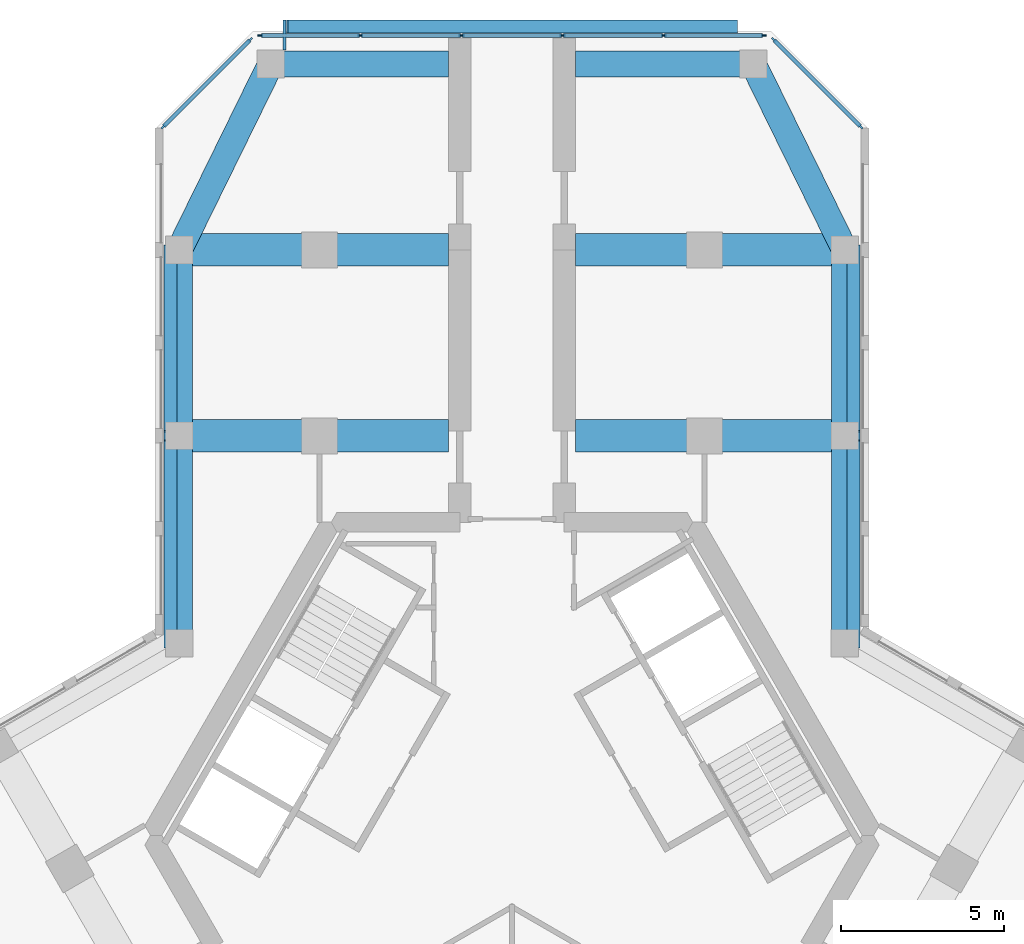
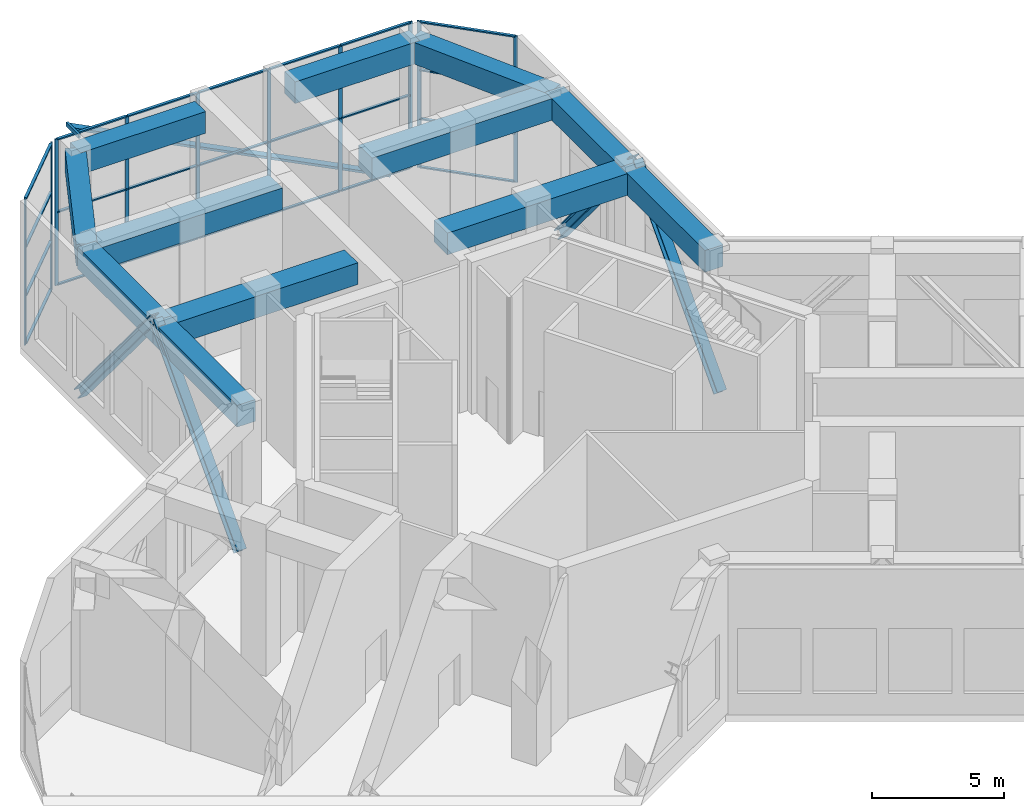
# One storey, part 6 of 12: 39 members, 12 beams, 3 elements without a shape of their own.
"""IFC4 building model written with IfcOpenShell, lengths in metres."""

from ifc_helpers import new_model, si_unit, direction, frame, origin, origin_2d, place, context, subcontext, project, spatial, rectangle, hollow_rectangle, i_section, extrude, material, material_profile, profile_set, type_object, element, aggregate, save


model = new_model("IFC4")

# Units and contexts
model_context = context("Model", 3, precision=1e-05, world=origin(), true_north=direction((0.0, 1.0)))
body_context = subcontext(model_context, "Body", "Model", "MODEL_VIEW")
ifc_project = project(units=[si_unit("LENGTHUNIT", "METRE"), si_unit("AREAUNIT", "SQUARE_METRE"), si_unit("VOLUMEUNIT", "CUBIC_METRE"), si_unit("PLANEANGLEUNIT", "RADIAN"), si_unit("MASSUNIT", "GRAM", prefix="KILO")], contexts=[model_context])

# Site, building, storey
site_placement = place(None, origin())
site = spatial("IfcSite", under=ifc_project, at=site_placement, CompositionType="ELEMENT")
building_placement = place(site_placement, origin())
building = spatial("IfcBuilding", under=site, at=building_placement, Name="Kosmar Iwan School Tower", CompositionType="ELEMENT")
storey_placement = place(building_placement, frame((0.0, 0.0, 260.39990234375)))
storey = spatial("IfcBuildingStorey", under=building, at=storey_placement, Name="L66", CompositionType="ELEMENT", Elevation=260.39990234375)

# Members
ifc_material_1 = material(Name="Steel S355", Category="steel")
ifc_material_profile_1 = material_profile(ifc_material_1, i_section(OverallWidth=0.404052734375, OverallDepth=0.406982421875, WebThickness=0.027099609375, FlangeThickness=0.043701171875, FilletRadius=0.014892578125, at=origin_2d()), Name="HD 400x347")
ifc_profile_set_1 = profile_set([ifc_material_profile_1], Name="Steel S355")
member_type_1 = type_object("IfcMemberType", Name="Belt truss diagonal HD 400x347", PredefinedType="BRACE", material=ifc_profile_set_1)
member_1_placement = place(storey_placement, frame((-10.468017578125, 5.888916015625, 0.0), z_axis=(0.0, 0.680649470375, 0.732609239962), x_axis=(-1.0, 0.0, 0.0)))
element("IfcMember", 1, at=member_1_placement, inside=storey, type_object=member_type_1, Name="Belt truss diagonal AL1", PredefinedType="BRACE", context=body_context, shape_type="SweptSolid", body=[
    extrude(i_section(OverallWidth=0.404052734375, OverallDepth=0.406982421875, WebThickness=0.027099609375, FlangeThickness=0.043701171875, FilletRadius=0.014892578125, at=origin_2d()), origin(), (0.0, 0.0, 1.0), 9.345703125),
])
member_2_placement = place(storey_placement, frame((-10.468017578125, 12.25, 6.8466796875), z_axis=(0.0, 0.639812342523, -0.768531174615), x_axis=(-1.0, 0.0, 0.0)))
element("IfcMember", 2, at=member_2_placement, inside=storey, type_object=member_type_1, Name="Belt truss diagonal AL2", PredefinedType="BRACE", context=body_context, shape_type="SweptSolid", body=[
    extrude(i_section(OverallWidth=0.404052734375, OverallDepth=0.406982421875, WebThickness=0.027099609375, FlangeThickness=0.043701171875, FilletRadius=0.014892578125, at=origin_2d()), origin(), (0.0, 0.0, 1.0), 8.90869140625),
])
member_3_placement = place(storey_placement, frame((10.468017578125, 5.888916015625, 0.0), z_axis=(0.0, 0.680649470375, 0.732609239962), x_axis=(-1.0, 0.0, 0.0)))
element("IfcMember", 3, at=member_3_placement, inside=storey, type_object=member_type_1, Name="Belt truss diagonal AR1", PredefinedType="BRACE", context=body_context, shape_type="SweptSolid", body=[
    extrude(i_section(OverallWidth=0.404052734375, OverallDepth=0.406982421875, WebThickness=0.027099609375, FlangeThickness=0.043701171875, FilletRadius=0.014892578125, at=origin_2d()), origin(), (0.0, 0.0, 1.0), 9.345703125),
])
member_4_placement = place(storey_placement, frame((10.468017578125, 12.25, 6.8466796875), z_axis=(0.0, 0.639812342523, -0.768531174615), x_axis=(-1.0, 0.0, 0.0)))
element("IfcMember", 4, at=member_4_placement, inside=storey, type_object=member_type_1, Name="Belt truss diagonal AR2", PredefinedType="BRACE", context=body_context, shape_type="SweptSolid", body=[
    extrude(i_section(OverallWidth=0.404052734375, OverallDepth=0.406982421875, WebThickness=0.027099609375, FlangeThickness=0.043701171875, FilletRadius=0.014892578125, at=origin_2d()), origin(), (0.0, 0.0, 1.0), 8.90869140625),
])

# Beams
ifc_material_2 = material(Name="Concrete C50/60", Category="concrete")
ifc_material_profile_2 = material_profile(ifc_material_2, rectangle(XDim=0.800048828125, YDim=1.0, at=origin_2d()), Name="RC 800x1000 + HD 400x634")
ifc_profile_set_2 = profile_set([ifc_material_profile_2], Name="Concrete C50/60")
beam_type_1 = type_object("IfcBeamType", Name="Composite edge beam 800x1000 HD 400x634", PredefinedType="BEAM", material=ifc_profile_set_2)
beam_1_placement = place(storey_placement, frame((-10.199951171875, 5.888916015625, 6.25), z_axis=(0.0, 1.0, 0.0), x_axis=(-1.0, 0.0, 0.0)))
element("IfcBeam", 5, at=beam_1_placement, inside=storey, type_object=beam_type_1, Name="Edge beam AL1", PredefinedType="BEAM", context=body_context, shape_type="SweptSolid", body=[
    extrude(rectangle(XDim=0.800048828125, YDim=1.0, at=origin_2d()), origin(), (0.0, 0.0, 1.0), 6.361083984375),
])
beam_2_placement = place(storey_placement, frame((-10.199951171875, 12.25, 6.25), z_axis=(0.0, 1.0, 0.0), x_axis=(-1.0, 0.0, 0.0)))
element("IfcBeam", 6, at=beam_2_placement, inside=storey, type_object=beam_type_1, Name="Edge beam AL2", PredefinedType="BEAM", context=body_context, shape_type="SweptSolid", body=[
    extrude(rectangle(XDim=0.800048828125, YDim=1.0, at=origin_2d()), origin(), (0.0, 0.0, 1.0), 5.699951171875),
])
beam_3_placement = place(storey_placement, frame((10.199951171875, 5.888916015625, 6.25), z_axis=(0.0, 1.0, 0.0), x_axis=(-1.0, 0.0, 0.0)))
element("IfcBeam", 7, at=beam_3_placement, inside=storey, type_object=beam_type_1, Name="Edge beam AR1", PredefinedType="BEAM", context=body_context, shape_type="SweptSolid", body=[
    extrude(rectangle(XDim=0.800048828125, YDim=1.0, at=origin_2d()), origin(), (0.0, 0.0, 1.0), 6.361083984375),
])
beam_4_placement = place(storey_placement, frame((10.199951171875, 12.25, 6.25), z_axis=(0.0, 1.0, 0.0), x_axis=(-1.0, 0.0, 0.0)))
element("IfcBeam", 8, at=beam_4_placement, inside=storey, type_object=beam_type_1, Name="Edge beam AR2", PredefinedType="BEAM", context=body_context, shape_type="SweptSolid", body=[
    extrude(rectangle(XDim=0.800048828125, YDim=1.0, at=origin_2d()), origin(), (0.0, 0.0, 1.0), 5.699951171875),
])
ifc_material_3 = material(Name="Concrete C50/60", Category="concrete")
ifc_material_profile_3 = material_profile(ifc_material_3, rectangle(XDim=1.0, YDim=1.0, at=origin_2d()), Name="RC 1000x1000 + HD 400x347")
ifc_profile_set_3 = profile_set([ifc_material_profile_3], Name="Concrete C50/60")
beam_type_2 = type_object("IfcBeamType", Name="Composite transverse beam 1000x1000 HD 400x347", PredefinedType="BEAM", material=ifc_profile_set_3)
for number, where, z_axis, x_axis, name in (
    (9, (-10.199951171875, 12.25, 6.25), (1.0, 0.0, 0.0), (0.0, 1.0, 0.0), "Transverse beam AL1"),
    (10, (-10.199951171875, 17.949951171875, 6.25), (1.0, 0.0, 0.0), (0.0, 1.0, 0.0), "Transverse beam AL2"),
    (11, (10.199951171875, 12.25, 6.25), (-1.0, 0.0, 0.0), (0.0, -1.0, 0.0), "Transverse beam AR1"),
    (12, (10.199951171875, 17.949951171875, 6.25), (-1.0, 0.0, 0.0), (0.0, -1.0, 0.0), "Transverse beam AR2"),
):
    element("IfcBeam", number, at=place(storey_placement, frame(where, z_axis=z_axis, x_axis=x_axis)), inside=storey, type_object=beam_type_2, Name=name, PredefinedType="BEAM", context=body_context, shape_type="SweptSolid", body=[
        extrude(rectangle(XDim=1.0, YDim=1.0, at=origin_2d()), origin(), (0.0, 0.0, 1.0), 8.25),
    ])

# Members
ifc_material_4 = material(Name="Black anodised aluminium", Category="aluminium")
ifc_material_profile_4 = material_profile(ifc_material_4, rectangle(XDim=0.10009765625, YDim=0.39990234375, at=origin_2d()), Name="FIN 100x400")
ifc_profile_set_4 = profile_set([ifc_material_profile_4], Name="Black anodised aluminium")
member_type_2 = type_object("IfcMemberType", Name="Diagonal fin 100x400", PredefinedType="USERDEFINED", material=ifc_profile_set_4)
member_5_placement = place(storey_placement, frame((6.898193359375, 24.800048828125, -0.14990234375), z_axis=(-0.891779441227, 0.0, 0.452470361686), x_axis=(0.452470361686, 0.0, 0.891779441227)))
element("IfcMember", 13, at=member_5_placement, inside=storey, type_object=member_type_2, Name="Diagonal fin L66-F06", ObjectType="FIN", PredefinedType="USERDEFINED", context=body_context, shape_type="SweptSolid", body=[
    extrude(rectangle(XDim=0.10009765625, YDim=0.39990234375, at=origin_2d()), origin(), (0.0, 0.0, 1.0), 15.470703125),
])
ifc_material_5 = material(Name="Steel S355", Category="steel")
ifc_material_profile_5 = material_profile(ifc_material_5, hollow_rectangle(XDim=0.10009765625, YDim=0.199951171875, WallThickness=0.008056640625, at=origin_2d()), Name="RHS 200x100x8")
ifc_profile_set_5 = profile_set([ifc_material_profile_5], Name="Steel S355")
member_type_3 = type_object("IfcMemberType", Name="Fin bracket RHS 200x100", PredefinedType="USERDEFINED", material=ifc_profile_set_5)
member_6_placement = place(storey_placement, frame((-6.97509765625, 24.074951171875, 6.875), z_axis=(0.0, 1.0, 0.0), x_axis=(-1.0, 0.0, 0.0)))
element("IfcMember", 14, at=member_6_placement, inside=storey, type_object=member_type_3, Name="Fin bracket L67", ObjectType="FIN BRACKET", PredefinedType="USERDEFINED", context=body_context, shape_type="SweptSolid", body=[
    extrude(hollow_rectangle(XDim=0.10009765625, YDim=0.199951171875, WallThickness=0.008056640625, at=origin_2d()), origin(), (0.0, 0.0, 1.0), 0.925048828125),
])

# Curtain wall, members
ifc_material_6 = material(Name="Dark glass in black aluminium frame", Category="aluminium")
curtain_wall_type_1 = type_object("IfcCurtainWallType", Name="Chamfer curtain wall dark glass", PredefinedType="USERDEFINED", material=ifc_material_6)
curtain_wall_1_placement = place(storey_placement, origin())
curtain_wall_1 = element("IfcCurtainWall", 15, at=curtain_wall_1_placement, inside=storey, type_object=curtain_wall_type_1, Name="Curtain wall L66-F05", ObjectType="FACETED CURTAIN WALL", PredefinedType="USERDEFINED")
ifc_material_7 = material(Name="Black anodised aluminium", Category="aluminium")
ifc_material_profile_6 = material_profile(ifc_material_7, rectangle(XDim=0.06005859375, YDim=0.159912109375, at=origin_2d()), Name="MULLION 60x160")
ifc_profile_set_6 = profile_set([ifc_material_profile_6], Name="Black anodised aluminium")
member_type_4 = type_object("IfcMemberType", Name="Mullion 60x160", PredefinedType="MULLION", material=ifc_profile_set_6)
member_7_placement = place(storey_placement, frame((10.69775390625, 21.7255859375, 0.0), z_axis=(0.0, 0.0, 1.0), x_axis=(-0.707106781187, -0.707106781187, 0.0)))
member_7 = element("IfcMember", 16, at=member_7_placement, type_object=member_type_4, Name="CW2 mullion 1", PredefinedType="MULLION", context=body_context, shape_type="SweptSolid", body=[
    extrude(rectangle(XDim=0.06005859375, YDim=0.159912109375, at=origin_2d()), origin(), (0.0, 0.0, 1.0), 6.75),
])
member_8_placement = place(storey_placement, frame((8.025390625, 24.397705078125, 0.0), z_axis=(0.0, 0.0, 1.0), x_axis=(-0.707106781187, -0.707106781187, 0.0)))
member_8 = element("IfcMember", 17, at=member_8_placement, type_object=member_type_4, Name="CW2 mullion 2", PredefinedType="MULLION", context=body_context, shape_type="SweptSolid", body=[
    extrude(rectangle(XDim=0.06005859375, YDim=0.159912109375, at=origin_2d()), origin(), (0.0, 0.0, 1.0), 6.75),
])

ifc_material_8 = material(Name="Black aluminium louvres and glass", Category="aluminium")
curtain_wall_type_2 = type_object("IfcCurtainWallType", Name="Plant floor louvred curtain wall", PredefinedType="USERDEFINED", material=ifc_material_8)
curtain_wall_2_placement = place(storey_placement, origin())
curtain_wall_2 = element("IfcCurtainWall", 18, at=curtain_wall_2_placement, inside=storey, type_object=curtain_wall_type_2, Name="Curtain wall L66-F06", ObjectType="LOUVRED CURTAIN WALL", PredefinedType="USERDEFINED")
member_9_placement = place(storey_placement, frame((7.71826171875, 24.52490234375, 0.0), z_axis=(0.0, 0.0, 1.0), x_axis=(0.0, -1.0, 0.0)))
member_9 = element("IfcMember", 19, at=member_9_placement, type_object=member_type_4, Name="CW4 mullion 1", PredefinedType="MULLION", context=body_context, shape_type="SweptSolid", body=[
    extrude(rectangle(XDim=0.06005859375, YDim=0.159912109375, at=origin_2d()), origin(), (0.0, 0.0, 1.0), 6.75),
])
member_10_placement = place(storey_placement, frame((4.64892578125, 24.52490234375, 0.0), z_axis=(0.0, 0.0, 1.0), x_axis=(0.0, -1.0, 0.0)))
member_10 = element("IfcMember", 20, at=member_10_placement, type_object=member_type_4, Name="CW4 mullion 2", PredefinedType="MULLION", context=body_context, shape_type="SweptSolid", body=[
    extrude(rectangle(XDim=0.06005859375, YDim=0.159912109375, at=origin_2d()), origin(), (0.0, 0.0, 1.0), 6.75),
])
member_11_placement = place(storey_placement, frame((1.549560546875, 24.52490234375, 0.0), z_axis=(0.0, 0.0, 1.0), x_axis=(0.0, -1.0, 0.0)))
member_11 = element("IfcMember", 21, at=member_11_placement, type_object=member_type_4, Name="CW4 mullion 3", PredefinedType="MULLION", context=body_context, shape_type="SweptSolid", body=[
    extrude(rectangle(XDim=0.06005859375, YDim=0.159912109375, at=origin_2d()), origin(), (0.0, 0.0, 1.0), 6.75),
])
member_12_placement = place(storey_placement, frame((-1.549560546875, 24.52490234375, 0.0), z_axis=(0.0, 0.0, 1.0), x_axis=(0.0, -1.0, 0.0)))
member_12 = element("IfcMember", 22, at=member_12_placement, type_object=member_type_4, Name="CW4 mullion 4", PredefinedType="MULLION", context=body_context, shape_type="SweptSolid", body=[
    extrude(rectangle(XDim=0.06005859375, YDim=0.159912109375, at=origin_2d()), origin(), (0.0, 0.0, 1.0), 6.75),
])
member_13_placement = place(storey_placement, frame((-4.64892578125, 24.52490234375, 0.0), z_axis=(0.0, 0.0, 1.0), x_axis=(0.0, -1.0, 0.0)))
member_13 = element("IfcMember", 23, at=member_13_placement, type_object=member_type_4, Name="CW4 mullion 5", PredefinedType="MULLION", context=body_context, shape_type="SweptSolid", body=[
    extrude(rectangle(XDim=0.06005859375, YDim=0.159912109375, at=origin_2d()), origin(), (0.0, 0.0, 1.0), 6.75),
])
member_14_placement = place(storey_placement, frame((-7.71826171875, 24.52490234375, 0.0), z_axis=(0.0, 0.0, 1.0), x_axis=(0.0, -1.0, 0.0)))
member_14 = element("IfcMember", 24, at=member_14_placement, type_object=member_type_4, Name="CW4 mullion 6", PredefinedType="MULLION", context=body_context, shape_type="SweptSolid", body=[
    extrude(rectangle(XDim=0.06005859375, YDim=0.159912109375, at=origin_2d()), origin(), (0.0, 0.0, 1.0), 6.75),
])

curtain_wall_3_placement = place(storey_placement, origin())
curtain_wall_3 = element("IfcCurtainWall", 25, at=curtain_wall_3_placement, inside=storey, type_object=curtain_wall_type_1, Name="Curtain wall L66-F07", ObjectType="FACETED CURTAIN WALL", PredefinedType="USERDEFINED")
member_15_placement = place(storey_placement, frame((-8.025390625, 24.397705078125, 0.0), z_axis=(0.0, 0.0, 1.0), x_axis=(0.707106781187, -0.707106781187, 0.0)))
member_15 = element("IfcMember", 26, at=member_15_placement, type_object=member_type_4, Name="CW2 mullion 1", PredefinedType="MULLION", context=body_context, shape_type="SweptSolid", body=[
    extrude(rectangle(XDim=0.06005859375, YDim=0.159912109375, at=origin_2d()), origin(), (0.0, 0.0, 1.0), 6.75),
])
member_16_placement = place(storey_placement, frame((-10.69775390625, 21.7255859375, 0.0), z_axis=(0.0, 0.0, 1.0), x_axis=(0.707106781187, -0.707106781187, 0.0)))
member_16 = element("IfcMember", 27, at=member_16_placement, type_object=member_type_4, Name="CW2 mullion 2", PredefinedType="MULLION", context=body_context, shape_type="SweptSolid", body=[
    extrude(rectangle(XDim=0.06005859375, YDim=0.159912109375, at=origin_2d()), origin(), (0.0, 0.0, 1.0), 6.75),
])

# Beams
ifc_material_9 = material(Name="Concrete C50/60", Category="concrete")
ifc_material_profile_7 = material_profile(ifc_material_9, rectangle(XDim=0.800048828125, YDim=1.0, at=origin_2d()), Name="RC 800x1000")
ifc_profile_set_7 = profile_set([ifc_material_profile_7], Name="Concrete C50/60")
beam_type_3 = type_object("IfcBeamType", Name="RC tip beam 800x1000", PredefinedType="BEAM", material=ifc_profile_set_7)
beam_5_placement = place(storey_placement, frame((-10.199951171875, 17.949951171875, 6.25), z_axis=(0.440913116462, 0.897549788999, 0.0), x_axis=(-0.897549788999, 0.440913116462, 0.0)))
element("IfcBeam", 28, at=beam_5_placement, inside=storey, type_object=beam_type_3, Name="Tip beam AL", PredefinedType="BEAM", context=body_context, shape_type="SweptSolid", body=[
    extrude(rectangle(XDim=0.800048828125, YDim=1.0, at=origin_2d()), origin(), (0.0, 0.0, 1.0), 6.3505859375),
])
beam_6_placement = place(storey_placement, frame((-7.39990234375, 23.64990234375, 6.25), z_axis=(1.0, 0.0, 0.0), x_axis=(0.0, 1.0, 0.0)))
element("IfcBeam", 29, at=beam_6_placement, inside=storey, type_object=beam_type_3, Name="Tip beam AL to corridor wall", PredefinedType="BEAM", context=body_context, shape_type="SweptSolid", body=[
    extrude(rectangle(XDim=0.800048828125, YDim=1.0, at=origin_2d()), origin(), (0.0, 0.0, 1.0), 5.449951171875),
])
beam_7_placement = place(storey_placement, frame((10.199951171875, 17.949951171875, 6.25), z_axis=(-0.440913116462, 0.897549788999, 0.0), x_axis=(-0.897549788999, -0.440913116462, 0.0)))
element("IfcBeam", 30, at=beam_7_placement, inside=storey, type_object=beam_type_3, Name="Tip beam AR", PredefinedType="BEAM", context=body_context, shape_type="SweptSolid", body=[
    extrude(rectangle(XDim=0.800048828125, YDim=1.0, at=origin_2d()), origin(), (0.0, 0.0, 1.0), 6.3505859375),
])
beam_8_placement = place(storey_placement, frame((7.39990234375, 23.64990234375, 6.25), z_axis=(-1.0, 0.0, 0.0), x_axis=(0.0, -1.0, 0.0)))
element("IfcBeam", 31, at=beam_8_placement, inside=storey, type_object=beam_type_3, Name="Tip beam AR to corridor wall", PredefinedType="BEAM", context=body_context, shape_type="SweptSolid", body=[
    extrude(rectangle(XDim=0.800048828125, YDim=1.0, at=origin_2d()), origin(), (0.0, 0.0, 1.0), 5.449951171875),
])

# Member
ifc_material_10 = material(Name="Black anodised aluminium", Category="aluminium")
ifc_material_profile_8 = material_profile(ifc_material_10, rectangle(XDim=0.1201171875, YDim=0.06005859375, at=origin_2d()), Name="TRANSOM 60x120")
ifc_profile_set_8 = profile_set([ifc_material_profile_8], Name="Black anodised aluminium")
member_type_5 = type_object("IfcMemberType", Name="Transom 60x120", PredefinedType="USERDEFINED", material=ifc_profile_set_8)
member_17_placement = place(storey_placement, frame((10.676513671875, 21.746826171875, 0.030029296875), z_axis=(-0.707139603466, 0.707073957383, 0.0), x_axis=(-0.707073957383, -0.707139603466, 0.0)))
member_17 = element("IfcMember", 32, at=member_17_placement, type_object=member_type_5, Name="CW2 transom 1.1", ObjectType="TRANSOM", PredefinedType="USERDEFINED", context=body_context, shape_type="SweptSolid", body=[
    extrude(rectangle(XDim=0.1201171875, YDim=0.06005859375, at=origin_2d()), origin(), (0.0, 0.0, 1.0), 3.718994140625),
])

member_18_placement = place(storey_placement, frame((10.676513671875, 21.746826171875, 2.25), z_axis=(-0.707139603466, 0.707073957383, 0.0), x_axis=(-0.707073957383, -0.707139603466, 0.0)))
member_18 = element("IfcMember", 33, at=member_18_placement, type_object=member_type_5, Name="CW2 transom 1.2", ObjectType="TRANSOM", PredefinedType="USERDEFINED", context=body_context, shape_type="SweptSolid", body=[
    extrude(rectangle(XDim=0.1201171875, YDim=0.06005859375, at=origin_2d()), origin(), (0.0, 0.0, 1.0), 3.718994140625),
])

member_19_placement = place(storey_placement, frame((10.676513671875, 21.746826171875, 4.5), z_axis=(-0.707139603466, 0.707073957383, 0.0), x_axis=(-0.707073957383, -0.707139603466, 0.0)))
member_19 = element("IfcMember", 34, at=member_19_placement, type_object=member_type_5, Name="CW2 transom 1.3", ObjectType="TRANSOM", PredefinedType="USERDEFINED", context=body_context, shape_type="SweptSolid", body=[
    extrude(rectangle(XDim=0.1201171875, YDim=0.06005859375, at=origin_2d()), origin(), (0.0, 0.0, 1.0), 3.718994140625),
])

member_20_placement = place(storey_placement, frame((10.676513671875, 21.746826171875, 6.72021484375), z_axis=(-0.707139603466, 0.707073957383, 0.0), x_axis=(-0.707073957383, -0.707139603466, 0.0)))
member_20 = element("IfcMember", 35, at=member_20_placement, type_object=member_type_5, Name="CW2 transom 1.4", ObjectType="TRANSOM", PredefinedType="USERDEFINED", context=body_context, shape_type="SweptSolid", body=[
    extrude(rectangle(XDim=0.1201171875, YDim=0.06005859375, at=origin_2d()), origin(), (0.0, 0.0, 1.0), 3.718994140625),
])

aggregate(curtain_wall_1, [member_7, member_8, member_17, member_18, member_19, member_20])

member_21_placement = place(storey_placement, frame((7.688232421875, 24.52490234375, 0.030029296875), z_axis=(-1.0, 0.0, 0.0), x_axis=(0.0, -1.0, 0.0)))
member_21 = element("IfcMember", 36, at=member_21_placement, type_object=member_type_5, Name="CW4 transom 1.1", ObjectType="TRANSOM", PredefinedType="USERDEFINED", context=body_context, shape_type="SweptSolid", body=[
    extrude(rectangle(XDim=0.1201171875, YDim=0.06005859375, at=origin_2d()), origin(), (0.0, 0.0, 1.0), 3.00927734375),
])

member_22_placement = place(storey_placement, frame((7.688232421875, 24.52490234375, 3.375), z_axis=(-1.0, 0.0, 0.0), x_axis=(0.0, -1.0, 0.0)))
member_22 = element("IfcMember", 37, at=member_22_placement, type_object=member_type_5, Name="CW4 transom 1.2", ObjectType="TRANSOM", PredefinedType="USERDEFINED", context=body_context, shape_type="SweptSolid", body=[
    extrude(rectangle(XDim=0.1201171875, YDim=0.06005859375, at=origin_2d()), origin(), (0.0, 0.0, 1.0), 3.00927734375),
])

member_23_placement = place(storey_placement, frame((7.688232421875, 24.52490234375, 6.72021484375), z_axis=(-1.0, 0.0, 0.0), x_axis=(0.0, -1.0, 0.0)))
member_23 = element("IfcMember", 38, at=member_23_placement, type_object=member_type_5, Name="CW4 transom 1.3", ObjectType="TRANSOM", PredefinedType="USERDEFINED", context=body_context, shape_type="SweptSolid", body=[
    extrude(rectangle(XDim=0.1201171875, YDim=0.06005859375, at=origin_2d()), origin(), (0.0, 0.0, 1.0), 3.00927734375),
])

member_24_placement = place(storey_placement, frame((4.618896484375, 24.52490234375, 0.030029296875), z_axis=(-1.0, 0.0, 0.0), x_axis=(0.0, -1.0, 0.0)))
member_24 = element("IfcMember", 39, at=member_24_placement, type_object=member_type_5, Name="CW4 transom 2.1", ObjectType="TRANSOM", PredefinedType="USERDEFINED", context=body_context, shape_type="SweptSolid", body=[
    extrude(rectangle(XDim=0.1201171875, YDim=0.06005859375, at=origin_2d()), origin(), (0.0, 0.0, 1.0), 3.039306640625),
])

member_25_placement = place(storey_placement, frame((4.618896484375, 24.52490234375, 3.375), z_axis=(-1.0, 0.0, 0.0), x_axis=(0.0, -1.0, 0.0)))
member_25 = element("IfcMember", 40, at=member_25_placement, type_object=member_type_5, Name="CW4 transom 2.2", ObjectType="TRANSOM", PredefinedType="USERDEFINED", context=body_context, shape_type="SweptSolid", body=[
    extrude(rectangle(XDim=0.1201171875, YDim=0.06005859375, at=origin_2d()), origin(), (0.0, 0.0, 1.0), 3.039306640625),
])

member_26_placement = place(storey_placement, frame((4.618896484375, 24.52490234375, 6.72021484375), z_axis=(-1.0, 0.0, 0.0), x_axis=(0.0, -1.0, 0.0)))
member_26 = element("IfcMember", 41, at=member_26_placement, type_object=member_type_5, Name="CW4 transom 2.3", ObjectType="TRANSOM", PredefinedType="USERDEFINED", context=body_context, shape_type="SweptSolid", body=[
    extrude(rectangle(XDim=0.1201171875, YDim=0.06005859375, at=origin_2d()), origin(), (0.0, 0.0, 1.0), 3.039306640625),
])

member_27_placement = place(storey_placement, frame((1.51953125, 24.52490234375, 0.030029296875), z_axis=(-1.0, 0.0, 0.0), x_axis=(0.0, -1.0, 0.0)))
member_27 = element("IfcMember", 42, at=member_27_placement, type_object=member_type_5, Name="CW4 transom 3.1", ObjectType="TRANSOM", PredefinedType="USERDEFINED", context=body_context, shape_type="SweptSolid", body=[
    extrude(rectangle(XDim=0.1201171875, YDim=0.06005859375, at=origin_2d()), origin(), (0.0, 0.0, 1.0), 3.0390625),
])

member_28_placement = place(storey_placement, frame((1.51953125, 24.52490234375, 3.375), z_axis=(-1.0, 0.0, 0.0), x_axis=(0.0, -1.0, 0.0)))
member_28 = element("IfcMember", 43, at=member_28_placement, type_object=member_type_5, Name="CW4 transom 3.2", ObjectType="TRANSOM", PredefinedType="USERDEFINED", context=body_context, shape_type="SweptSolid", body=[
    extrude(rectangle(XDim=0.1201171875, YDim=0.06005859375, at=origin_2d()), origin(), (0.0, 0.0, 1.0), 3.0390625),
])

member_29_placement = place(storey_placement, frame((1.51953125, 24.52490234375, 6.72021484375), z_axis=(-1.0, 0.0, 0.0), x_axis=(0.0, -1.0, 0.0)))
member_29 = element("IfcMember", 44, at=member_29_placement, type_object=member_type_5, Name="CW4 transom 3.3", ObjectType="TRANSOM", PredefinedType="USERDEFINED", context=body_context, shape_type="SweptSolid", body=[
    extrude(rectangle(XDim=0.1201171875, YDim=0.06005859375, at=origin_2d()), origin(), (0.0, 0.0, 1.0), 3.0390625),
])

member_30_placement = place(storey_placement, frame((-1.57958984375, 24.52490234375, 0.030029296875), z_axis=(-1.0, 0.0, 0.0), x_axis=(0.0, -1.0, 0.0)))
member_30 = element("IfcMember", 45, at=member_30_placement, type_object=member_type_5, Name="CW4 transom 4.1", ObjectType="TRANSOM", PredefinedType="USERDEFINED", context=body_context, shape_type="SweptSolid", body=[
    extrude(rectangle(XDim=0.1201171875, YDim=0.06005859375, at=origin_2d()), origin(), (0.0, 0.0, 1.0), 3.039306640625),
])

member_31_placement = place(storey_placement, frame((-1.57958984375, 24.52490234375, 3.375), z_axis=(-1.0, 0.0, 0.0), x_axis=(0.0, -1.0, 0.0)))
member_31 = element("IfcMember", 46, at=member_31_placement, type_object=member_type_5, Name="CW4 transom 4.2", ObjectType="TRANSOM", PredefinedType="USERDEFINED", context=body_context, shape_type="SweptSolid", body=[
    extrude(rectangle(XDim=0.1201171875, YDim=0.06005859375, at=origin_2d()), origin(), (0.0, 0.0, 1.0), 3.039306640625),
])

member_32_placement = place(storey_placement, frame((-1.57958984375, 24.52490234375, 6.72021484375), z_axis=(-1.0, 0.0, 0.0), x_axis=(0.0, -1.0, 0.0)))
member_32 = element("IfcMember", 47, at=member_32_placement, type_object=member_type_5, Name="CW4 transom 4.3", ObjectType="TRANSOM", PredefinedType="USERDEFINED", context=body_context, shape_type="SweptSolid", body=[
    extrude(rectangle(XDim=0.1201171875, YDim=0.06005859375, at=origin_2d()), origin(), (0.0, 0.0, 1.0), 3.039306640625),
])

member_33_placement = place(storey_placement, frame((-4.678955078125, 24.52490234375, 0.030029296875), z_axis=(-1.0, 0.0, 0.0), x_axis=(0.0, -1.0, 0.0)))
member_33 = element("IfcMember", 48, at=member_33_placement, type_object=member_type_5, Name="CW4 transom 5.1", ObjectType="TRANSOM", PredefinedType="USERDEFINED", context=body_context, shape_type="SweptSolid", body=[
    extrude(rectangle(XDim=0.1201171875, YDim=0.06005859375, at=origin_2d()), origin(), (0.0, 0.0, 1.0), 3.00927734375),
])

member_34_placement = place(storey_placement, frame((-4.678955078125, 24.52490234375, 3.375), z_axis=(-1.0, 0.0, 0.0), x_axis=(0.0, -1.0, 0.0)))
member_34 = element("IfcMember", 49, at=member_34_placement, type_object=member_type_5, Name="CW4 transom 5.2", ObjectType="TRANSOM", PredefinedType="USERDEFINED", context=body_context, shape_type="SweptSolid", body=[
    extrude(rectangle(XDim=0.1201171875, YDim=0.06005859375, at=origin_2d()), origin(), (0.0, 0.0, 1.0), 3.00927734375),
])

member_35_placement = place(storey_placement, frame((-4.678955078125, 24.52490234375, 6.72021484375), z_axis=(-1.0, 0.0, 0.0), x_axis=(0.0, -1.0, 0.0)))
member_35 = element("IfcMember", 50, at=member_35_placement, type_object=member_type_5, Name="CW4 transom 5.3", ObjectType="TRANSOM", PredefinedType="USERDEFINED", context=body_context, shape_type="SweptSolid", body=[
    extrude(rectangle(XDim=0.1201171875, YDim=0.06005859375, at=origin_2d()), origin(), (0.0, 0.0, 1.0), 3.00927734375),
])

aggregate(curtain_wall_2, [member_9, member_10, member_11, member_12, member_13, member_14, member_21, member_22, member_23, member_24, member_25, member_26, member_27, member_28, member_29, member_30, member_31, member_32, member_33, member_34, member_35])

member_36_placement = place(storey_placement, frame((-8.046630859375, 24.37646484375, 0.030029296875), z_axis=(-0.707139603466, -0.707073957383, 0.0), x_axis=(0.707073957383, -0.707139603466, 0.0)))
member_36 = element("IfcMember", 51, at=member_36_placement, type_object=member_type_5, Name="CW2 transom 1.1", ObjectType="TRANSOM", PredefinedType="USERDEFINED", context=body_context, shape_type="SweptSolid", body=[
    extrude(rectangle(XDim=0.1201171875, YDim=0.06005859375, at=origin_2d()), origin(), (0.0, 0.0, 1.0), 3.718994140625),
])

member_37_placement = place(storey_placement, frame((-8.046630859375, 24.37646484375, 2.25), z_axis=(-0.707139603466, -0.707073957383, 0.0), x_axis=(0.707073957383, -0.707139603466, 0.0)))
member_37 = element("IfcMember", 52, at=member_37_placement, type_object=member_type_5, Name="CW2 transom 1.2", ObjectType="TRANSOM", PredefinedType="USERDEFINED", context=body_context, shape_type="SweptSolid", body=[
    extrude(rectangle(XDim=0.1201171875, YDim=0.06005859375, at=origin_2d()), origin(), (0.0, 0.0, 1.0), 3.718994140625),
])

member_38_placement = place(storey_placement, frame((-8.046630859375, 24.37646484375, 4.5), z_axis=(-0.707139603466, -0.707073957383, 0.0), x_axis=(0.707073957383, -0.707139603466, 0.0)))
member_38 = element("IfcMember", 53, at=member_38_placement, type_object=member_type_5, Name="CW2 transom 1.3", ObjectType="TRANSOM", PredefinedType="USERDEFINED", context=body_context, shape_type="SweptSolid", body=[
    extrude(rectangle(XDim=0.1201171875, YDim=0.06005859375, at=origin_2d()), origin(), (0.0, 0.0, 1.0), 3.718994140625),
])

member_39_placement = place(storey_placement, frame((-8.046630859375, 24.37646484375, 6.72021484375), z_axis=(-0.707139603466, -0.707073957383, 0.0), x_axis=(0.707073957383, -0.707139603466, 0.0)))
member_39 = element("IfcMember", 54, at=member_39_placement, type_object=member_type_5, Name="CW2 transom 1.4", ObjectType="TRANSOM", PredefinedType="USERDEFINED", context=body_context, shape_type="SweptSolid", body=[
    extrude(rectangle(XDim=0.1201171875, YDim=0.06005859375, at=origin_2d()), origin(), (0.0, 0.0, 1.0), 3.718994140625),
])

aggregate(curtain_wall_3, [member_15, member_16, member_36, member_37, member_38, member_39])

save(model, "model.ifc")
